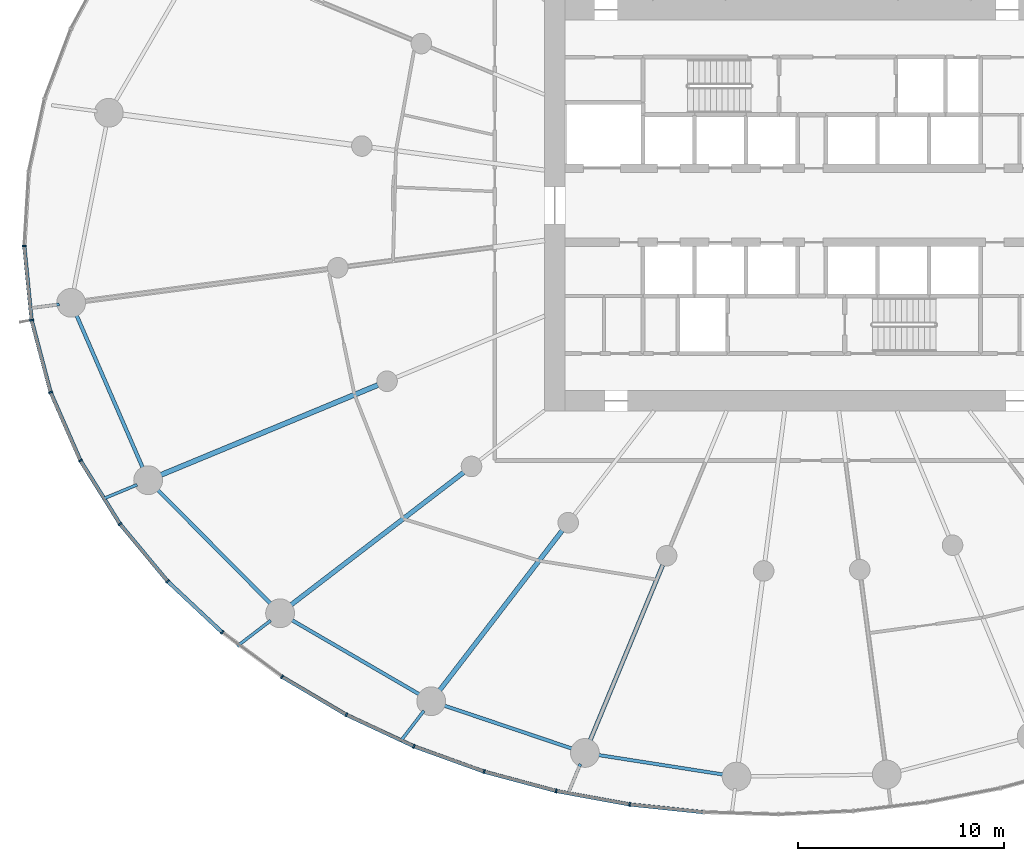
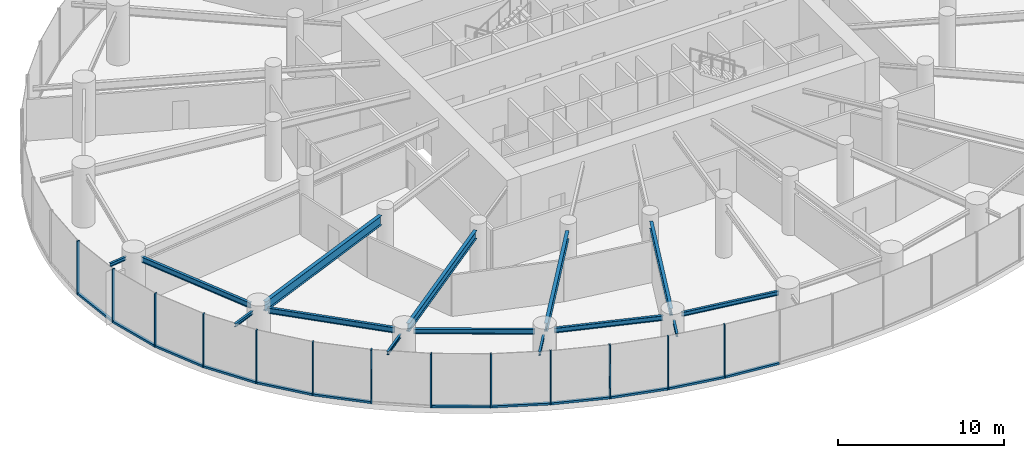
# One storey, part 2 of 17: 25 members, 14 beams, 3 elements without a shape of their own.
"""IFC4 building model written with IfcOpenShell, lengths in metres."""

from ifc_helpers import new_model, si_unit, direction, frame, origin, origin_2d, place, context, subcontext, project, spatial, rectangle, i_section, extrude, source, transform, mapped, material, layer, layer_set, material_profile, profile_set, type_object, element, aggregate, save


model = new_model("IFC4")

# Units and contexts
model_context = context("Model", 3, precision=1e-05, world=origin(), true_north=direction((0.0, 1.0)))
body_context = subcontext(model_context, "Body", "Model", "MODEL_VIEW")
ifc_project = project(units=[si_unit("LENGTHUNIT", "METRE"), si_unit("AREAUNIT", "SQUARE_METRE"), si_unit("VOLUMEUNIT", "CUBIC_METRE"), si_unit("PLANEANGLEUNIT", "RADIAN"), si_unit("MASSUNIT", "GRAM", prefix="KILO")], contexts=[model_context])

# Site, building, storey
site_placement = place(None, origin())
site = spatial("IfcSite", under=ifc_project, at=site_placement, CompositionType="ELEMENT")
building_placement = place(site_placement, origin())
building = spatial("IfcBuilding", under=site, at=building_placement, Name="Spindrift Exchange Tower", CompositionType="ELEMENT")
storey_placement = place(building_placement, frame((0.0, 0.0, 35.800048828125)))
storey = spatial("IfcBuildingStorey", under=building, at=storey_placement, Name="L08", CompositionType="ELEMENT", Elevation=35.800048828125)

# Beams
ifc_material_1 = material(Name="Steel Grade 300", Category="steel")
ifc_material_profile_1 = material_profile(ifc_material_1, i_section(OverallWidth=0.25, OverallDepth=0.699951171875, WebThickness=0.008056640625, FlangeThickness=0.011962890625, at=origin_2d()), Name="700WB115")
ifc_profile_set_1 = profile_set([ifc_material_profile_1], Name="Steel Grade 300")
beam_type_1 = type_object("IfcBeamType", Name="Floor Beam 700WB115 Steel Grade 300", PredefinedType="BEAM", material=ifc_profile_set_1)
shared_shape_1 = source(origin(), body_context, "Body", "SweptSolid", [
    extrude(i_section(OverallWidth=0.25, OverallDepth=0.699951171875, WebThickness=0.008056640625, FlangeThickness=0.011962890625, at=origin_2d()), origin(), (0.0, 0.0, 1.0), 11.505859375),
])
beam_1_placement = place(storey_placement, frame((30.917236328125, 39.26708984375, 3.599853515625), z_axis=(-0.923881578419, -0.38267849307, 0.0), x_axis=(0.38267849307, -0.923881578419, 0.0)))
element("IfcBeam", 1, at=beam_1_placement, inside=storey, type_object=beam_type_1, Name="L08 radial beam R14B", PredefinedType="BEAM", context=body_context, shape_type="MappedRepresentation", body=[
    mapped(shared_shape_1, transform((0.0, 0.0, 0.0), scale=1.0)),
])
ifc_material_profile_2 = material_profile(ifc_material_1, i_section(OverallWidth=0.22802734375, OverallDepth=0.60693359375, WebThickness=0.01123046875, FlangeThickness=0.017333984375, FilletRadius=0.013916015625, at=origin_2d()), Name="610UB113")
ifc_profile_set_2 = profile_set([ifc_material_profile_2], Name="Steel Grade 300")
beam_type_2 = type_object("IfcBeamType", Name="Floor Beam 610UB113 Steel Grade 300", PredefinedType="BEAM", material=ifc_profile_set_2)
shared_shape_2 = source(origin(), body_context, "Body", "SweptSolid", [
    extrude(i_section(OverallWidth=0.22802734375, OverallDepth=0.60693359375, WebThickness=0.01123046875, FlangeThickness=0.017333984375, FilletRadius=0.013916015625, at=origin_2d()), origin(), (0.0, 0.0, 1.0), 10.66357421875),
])
beam_2_placement = place(storey_placement, frame((35.08447265625, 35.020263671875, 3.646484375), z_axis=(-0.793357926757, -0.608755451764, 0.0), x_axis=(0.608755451764, -0.793357926757, 0.0)))
element("IfcBeam", 2, at=beam_2_placement, inside=storey, type_object=beam_type_2, Name="L08 radial beam R15B", PredefinedType="BEAM", context=body_context, shape_type="MappedRepresentation", body=[
    mapped(shared_shape_2, transform((0.0, 0.0, 0.0), scale=1.0)),
])
shared_shape_3 = source(origin(), body_context, "Body", "SweptSolid", [
    extrude(i_section(OverallWidth=0.22802734375, OverallDepth=0.60693359375, WebThickness=0.01123046875, FlangeThickness=0.017333984375, FilletRadius=0.013916015625, at=origin_2d()), origin(), (0.0, 0.0, 1.0), 9.87548828125),
])
beam_3_placement = place(storey_placement, frame((39.872802734375, 32.1953125, 3.646484375), z_axis=(-0.608772470836, -0.793344867477, 0.0), x_axis=(0.793344867477, -0.608772470836, 0.0)))
element("IfcBeam", 3, at=beam_3_placement, inside=storey, type_object=beam_type_2, Name="L08 radial beam R16B", PredefinedType="BEAM", context=body_context, shape_type="MappedRepresentation", body=[
    mapped(shared_shape_3, transform((0.0, 0.0, 0.0), scale=1.0)),
])
ifc_material_profile_3 = material_profile(ifc_material_1, i_section(OverallWidth=0.208984375, OverallDepth=0.532958984375, WebThickness=0.01025390625, FlangeThickness=0.015625, FilletRadius=0.013916015625, at=origin_2d()), Name="530UB92.4")
ifc_profile_set_3 = profile_set([ifc_material_profile_3], Name="Steel Grade 300")
beam_type_3 = type_object("IfcBeamType", Name="Floor Beam 530UB92.4 Steel Grade 300", PredefinedType="BEAM", material=ifc_profile_set_3)
shared_shape_4 = source(origin(), body_context, "Body", "SweptSolid", [
    extrude(i_section(OverallWidth=0.208984375, OverallDepth=0.532958984375, WebThickness=0.01025390625, FlangeThickness=0.015625, FilletRadius=0.013916015625, at=origin_2d()), origin(), (0.0, 0.0, 1.0), 9.309326171875),
])
beam_4_placement = place(storey_placement, frame((44.76171875, 30.525146484375, 3.683349609375), z_axis=(-0.382685326691, -0.923878747853, 0.0), x_axis=(0.923878747853, -0.382685326691, 0.0)))
element("IfcBeam", 4, at=beam_4_placement, inside=storey, type_object=beam_type_3, Name="L08 radial beam R17B", PredefinedType="BEAM", context=body_context, shape_type="MappedRepresentation", body=[
    mapped(shared_shape_4, transform((0.0, 0.0, 0.0), scale=1.0)),
])
ifc_material_profile_4 = material_profile(ifc_material_1, i_section(OverallWidth=0.177978515625, OverallDepth=0.406005859375, WebThickness=0.0078125, FlangeThickness=0.0126953125, FilletRadius=0.013916015625, at=origin_2d()), Name="410UB59.7")
ifc_profile_set_4 = profile_set([ifc_material_profile_4], Name="Steel Grade 300")
beam_type_4 = type_object("IfcBeamType", Name="Edge Beam 410UB59.7 Steel Grade 300", PredefinedType="SPANDREL", material=ifc_profile_set_4)
shared_shape_5 = source(origin(), body_context, "Body", "SweptSolid", [
    extrude(i_section(OverallWidth=0.177978515625, OverallDepth=0.406005859375, WebThickness=0.0078125, FlangeThickness=0.0126953125, FilletRadius=0.013916015625, at=origin_2d()), origin(), (0.0, 0.0, 1.0), 8.23681640625),
])
beam_5_placement = place(storey_placement, frame((16.240478515625, 42.729736328125, 3.7470703125), z_axis=(0.398186298756, -0.91730456855, 0.0), x_axis=(0.91730456855, 0.398186298756, 0.0)))
element("IfcBeam", 5, at=beam_5_placement, inside=storey, type_object=beam_type_4, Name="L08 edge beam E13", PredefinedType="SPANDREL", context=body_context, shape_type="MappedRepresentation", body=[
    mapped(shared_shape_5, transform((0.0, 0.0, 0.0), scale=1.0)),
])
shared_shape_6 = source(origin(), body_context, "Body", "SweptSolid", [
    extrude(i_section(OverallWidth=0.177978515625, OverallDepth=0.406005859375, WebThickness=0.0078125, FlangeThickness=0.0126953125, FilletRadius=0.013916015625, at=origin_2d()), origin(), (0.0, 0.0, 1.0), 7.947509765625),
])
beam_6_placement = place(storey_placement, frame((20.159423828125, 34.230224609375, 3.7470703125), z_axis=(0.704197895271, -0.710003749494, 0.0), x_axis=(0.710003749494, 0.704197895271, 0.0)))
element("IfcBeam", 6, at=beam_6_placement, inside=storey, type_object=beam_type_4, Name="L08 edge beam E14", PredefinedType="SPANDREL", context=body_context, shape_type="MappedRepresentation", body=[
    mapped(shared_shape_6, transform((0.0, 0.0, 0.0), scale=1.0)),
])
ifc_material_profile_5 = material_profile(ifc_material_1, i_section(OverallWidth=0.172119140625, OverallDepth=0.35888671875, WebThickness=0.008056640625, FlangeThickness=0.012939453125, FilletRadius=0.013916015625, at=origin_2d()), Name="360UB56.7")
ifc_profile_set_5 = profile_set([ifc_material_profile_5], Name="Steel Grade 300")
beam_type_5 = type_object("IfcBeamType", Name="Edge Beam 360UB56.7 Steel Grade 300", PredefinedType="SPANDREL", material=ifc_profile_set_5)
shared_shape_7 = source(origin(), body_context, "Body", "SweptSolid", [
    extrude(i_section(OverallWidth=0.172119140625, OverallDepth=0.35888671875, WebThickness=0.008056640625, FlangeThickness=0.012939453125, FilletRadius=0.013916015625, at=origin_2d()), origin(), (0.0, 0.0, 1.0), 7.33740234375),
])
beam_7_placement = place(storey_placement, frame((26.66552734375, 27.8837890625, 3.7705078125), z_axis=(0.864211826308, -0.503128134047, 0.0), x_axis=(0.503128134047, 0.864211826308, 0.0)))
element("IfcBeam", 7, at=beam_7_placement, inside=storey, type_object=beam_type_5, Name="L08 edge beam E15", PredefinedType="SPANDREL", context=body_context, shape_type="MappedRepresentation", body=[
    mapped(shared_shape_7, transform((0.0, 0.0, 0.0), scale=1.0)),
])
shared_shape_8 = source(origin(), body_context, "Body", "SweptSolid", [
    extrude(i_section(OverallWidth=0.172119140625, OverallDepth=0.35888671875, WebThickness=0.008056640625, FlangeThickness=0.012939453125, FilletRadius=0.013916015625, at=origin_2d()), origin(), (0.0, 0.0, 1.0), 6.72021484375),
])
beam_8_placement = place(storey_placement, frame((34.0576171875, 23.71533203125, 3.7705078125), z_axis=(0.947851749681, -0.318711563372, 0.0), x_axis=(0.318711563372, 0.947851749681, 0.0)))
element("IfcBeam", 8, at=beam_8_placement, inside=storey, type_object=beam_type_5, Name="L08 edge beam E16", PredefinedType="SPANDREL", context=body_context, shape_type="MappedRepresentation", body=[
    mapped(shared_shape_8, transform((0.0, 0.0, 0.0), scale=1.0)),
])
ifc_material_profile_6 = material_profile(ifc_material_1, i_section(OverallWidth=0.1650390625, OverallDepth=0.303955078125, WebThickness=0.006103515625, FlangeThickness=0.01025390625, FilletRadius=0.011474609375, at=origin_2d()), Name="310UB40.4")
ifc_profile_set_6 = profile_set([ifc_material_profile_6], Name="Steel Grade 300")
beam_type_6 = type_object("IfcBeamType", Name="Edge Beam 310UB40.4 Steel Grade 300", PredefinedType="SPANDREL", material=ifc_profile_set_6)
shared_shape_9 = source(origin(), body_context, "Body", "SweptSolid", [
    extrude(i_section(OverallWidth=0.1650390625, OverallDepth=0.303955078125, WebThickness=0.006103515625, FlangeThickness=0.01025390625, FilletRadius=0.011474609375, at=origin_2d()), origin(), (0.0, 0.0, 1.0), 6.297119140625),
])
beam_9_placement = place(storey_placement, frame((41.55029296875, 21.29931640625, 3.7978515625), z_axis=(0.98802902915, -0.154268070436, 0.0), x_axis=(0.154268070436, 0.98802902915, 0.0)))
element("IfcBeam", 9, at=beam_9_placement, inside=storey, type_object=beam_type_6, Name="L08 edge beam E17", PredefinedType="SPANDREL", context=body_context, shape_type="MappedRepresentation", body=[
    mapped(shared_shape_9, transform((0.0, 0.0, 0.0), scale=1.0)),
])
ifc_material_profile_7 = material_profile(ifc_material_1, i_section(OverallWidth=0.14599609375, OverallDepth=0.251953125, WebThickness=0.006103515625, FlangeThickness=0.008544921875, FilletRadius=0.011962890625, at=origin_2d()), Name="250UB31.4")
ifc_profile_set_7 = profile_set([ifc_material_profile_7], Name="Steel Grade 300")
beam_type_7 = type_object("IfcBeamType", Name="Cantilever Beam 250UB31.4 Steel Grade 300", PredefinedType="BEAM", material=ifc_profile_set_7)
shared_shape_10 = source(origin(), body_context, "Body", "SweptSolid", [
    extrude(i_section(OverallWidth=0.14599609375, OverallDepth=0.251953125, WebThickness=0.006103515625, FlangeThickness=0.008544921875, FilletRadius=0.011962890625, at=origin_2d()), origin(), (0.0, 0.0, 1.0), 1.23876953125),
])
beam_10_placement = place(storey_placement, frame((15.4345703125, 43.18603515625, 3.823974609375), z_axis=(-0.991453624771, -0.130459610336, 0.0), x_axis=(0.130459610336, -0.991453624771, 0.0)))
element("IfcBeam", 10, at=beam_10_placement, inside=storey, type_object=beam_type_7, Name="L08 cantilever beam R13T", PredefinedType="BEAM", context=body_context, shape_type="MappedRepresentation", body=[
    mapped(shared_shape_10, transform((0.0, 0.0, 0.0), scale=1.0)),
])
shared_shape_11 = source(origin(), body_context, "Body", "SweptSolid", [
    extrude(i_section(OverallWidth=0.14599609375, OverallDepth=0.251953125, WebThickness=0.006103515625, FlangeThickness=0.008544921875, FilletRadius=0.011962890625, at=origin_2d()), origin(), (0.0, 0.0, 1.0), 1.779296875),
])
beam_11_placement = place(storey_placement, frame((19.21533203125, 34.420166015625, 3.823974609375), z_axis=(-0.923874677021, -0.382695154346, 0.0), x_axis=(0.382695154346, -0.923874677021, 0.0)))
element("IfcBeam", 11, at=beam_11_placement, inside=storey, type_object=beam_type_7, Name="L08 cantilever beam R14T", PredefinedType="BEAM", context=body_context, shape_type="MappedRepresentation", body=[
    mapped(shared_shape_11, transform((0.0, 0.0, 0.0), scale=1.0)),
])
shared_shape_12 = source(origin(), body_context, "Body", "SweptSolid", [
    extrude(i_section(OverallWidth=0.14599609375, OverallDepth=0.251953125, WebThickness=0.006103515625, FlangeThickness=0.008544921875, FilletRadius=0.011962890625, at=origin_2d()), origin(), (0.0, 0.0, 1.0), 2.045166015625),
])
beam_12_placement = place(storey_placement, frame((25.704345703125, 27.822509765625, 3.823974609375), z_axis=(-0.793391112466, -0.60871220019, 0.0), x_axis=(0.60871220019, -0.793391112466, 0.0)))
element("IfcBeam", 12, at=beam_12_placement, inside=storey, type_object=beam_type_7, Name="L08 cantilever beam R15T", PredefinedType="BEAM", context=body_context, shape_type="MappedRepresentation", body=[
    mapped(shared_shape_12, transform((0.0, 0.0, 0.0), scale=1.0)),
])
shared_shape_13 = source(origin(), body_context, "Body", "SweptSolid", [
    extrude(i_section(OverallWidth=0.14599609375, OverallDepth=0.251953125, WebThickness=0.006103515625, FlangeThickness=0.008544921875, FilletRadius=0.011962890625, at=origin_2d()), origin(), (0.0, 0.0, 1.0), 1.88427734375),
])
beam_13_placement = place(storey_placement, frame((33.154541015625, 23.440185546875, 3.823974609375), z_axis=(-0.608733443446, -0.793374813585, 0.0), x_axis=(0.793374813585, -0.608733443446, 0.0)))
element("IfcBeam", 13, at=beam_13_placement, inside=storey, type_object=beam_type_7, Name="L08 cantilever beam R16T", PredefinedType="BEAM", context=body_context, shape_type="MappedRepresentation", body=[
    mapped(shared_shape_13, transform((0.0, 0.0, 0.0), scale=1.0)),
])
shared_shape_14 = source(origin(), body_context, "Body", "SweptSolid", [
    extrude(i_section(OverallWidth=0.14599609375, OverallDepth=0.251953125, WebThickness=0.006103515625, FlangeThickness=0.008544921875, FilletRadius=0.011962890625, at=origin_2d()), origin(), (0.0, 0.0, 1.0), 1.519775390625),
])
beam_14_placement = place(storey_placement, frame((40.755126953125, 20.852783203125, 3.823974609375), z_axis=(-0.382663933945, -0.92388760878, 0.0), x_axis=(0.92388760878, -0.382663933945, 0.0)))
element("IfcBeam", 14, at=beam_14_placement, inside=storey, type_object=beam_type_7, Name="L08 cantilever beam R17T", PredefinedType="BEAM", context=body_context, shape_type="MappedRepresentation", body=[
    mapped(shared_shape_14, transform((0.0, 0.0, 0.0), scale=1.0)),
])

# Curtain wall, member
ifc_material_2 = material(Name="Fritted laminated glass with bronze frame", Category="glass")
ifc_layer = layer(ifc_material_2, 0.199951171875)
ifc_layer_set = layer_set([ifc_layer], Name="ZONE 1 BRONZE FRITTED WALL")
curtain_wall_type = type_object("IfcCurtainWallType", Name="ZONE 1 BRONZE FRITTED WALL", PredefinedType="NOTDEFINED", material=ifc_layer_set)
curtain_wall_1_placement = place(storey_placement, origin())
curtain_wall_1 = element("IfcCurtainWall", 15, at=curtain_wall_1_placement, inside=storey, type_object=curtain_wall_type, Name="L08 Zone 1 Bronze Fritted Wall run 5", PredefinedType="NOTDEFINED")
ifc_material_3 = material(Name="Bronze anodised aluminium", Category="aluminium")
ifc_material_profile_8 = material_profile(ifc_material_3, rectangle(XDim=0.080078125, YDim=0.199951171875, at=origin_2d()), Name="ZONE 1 BRONZE FRITTED WALL MULLION 80X200")
ifc_profile_set_8 = profile_set([ifc_material_profile_8], Name="Bronze anodised aluminium")
member_type_1 = type_object("IfcMemberType", Name="ZONE 1 BRONZE FRITTED WALL MULLION 80X200", PredefinedType="MULLION", material=ifc_profile_set_8)
shared_shape_15 = source(origin(), body_context, "Body", "SweptSolid", [
    extrude(rectangle(XDim=0.080078125, YDim=0.199951171875, at=origin_2d()), origin(), (0.0, 0.0, 1.0), 3.949951171875),
])
member_1_placement = place(storey_placement, frame((13.73046875, 46.026611328125, 0.0), z_axis=(0.0, 0.0, 1.0), x_axis=(0.019389780604, -0.999812000532, 0.0)))
member_1 = element("IfcMember", 16, at=member_1_placement, type_object=member_type_1, Name="L08 mullion CW-1.30", PredefinedType="MULLION", context=body_context, shape_type="MappedRepresentation", body=[
    mapped(shared_shape_15, transform((0.0, 0.0, 0.0), scale=1.0)),
])

# Curtain wall, members
curtain_wall_2_placement = place(storey_placement, origin())
curtain_wall_2 = element("IfcCurtainWall", 17, at=curtain_wall_2_placement, inside=storey, type_object=curtain_wall_type, Name="L08 Zone 1 Bronze Fritted Wall run 6", PredefinedType="NOTDEFINED")
member_2_placement = place(storey_placement, frame((14.087890625, 42.419921875, 0.0), z_axis=(0.0, 0.0, 1.0), x_axis=(0.177316855443, -0.984153815608, 0.0)))
member_2 = element("IfcMember", 18, at=member_2_placement, type_object=member_type_1, Name="L08 mullion CW-1.31", PredefinedType="MULLION", context=body_context, shape_type="MappedRepresentation", body=[
    mapped(shared_shape_15, transform((0.0, 0.0, 0.0), scale=1.0)),
])
member_3_placement = place(storey_placement, frame((15.01171875, 38.9150390625, 0.0), z_axis=(0.0, 0.0, 1.0), x_axis=(0.328579332522, -0.944476374633, 0.0)))
member_3 = element("IfcMember", 19, at=member_3_placement, type_object=member_type_1, Name="L08 mullion CW-1.32", PredefinedType="MULLION", context=body_context, shape_type="MappedRepresentation", body=[
    mapped(shared_shape_15, transform((0.0, 0.0, 0.0), scale=1.0)),
])
member_4_placement = place(storey_placement, frame((16.462890625, 35.593505859375, 0.0), z_axis=(0.0, 0.0, 1.0), x_axis=(0.466095126747, -0.884734611521, 0.0)))
member_4 = element("IfcMember", 20, at=member_4_placement, type_object=member_type_1, Name="L08 mullion CW-1.33", PredefinedType="MULLION", context=body_context, shape_type="MappedRepresentation", body=[
    mapped(shared_shape_15, transform((0.0, 0.0, 0.0), scale=1.0)),
])
member_5_placement = place(storey_placement, frame((18.3818359375, 32.517822265625, 0.0), z_axis=(0.0, 0.0, 1.0), x_axis=(0.585603827625, -0.810597407515, 0.0)))
member_5 = element("IfcMember", 21, at=member_5_placement, type_object=member_type_1, Name="L08 mullion CW-1.34", PredefinedType="MULLION", context=body_context, shape_type="MappedRepresentation", body=[
    mapped(shared_shape_15, transform((0.0, 0.0, 0.0), scale=1.0)),
])
member_6_placement = place(storey_placement, frame((20.69921875, 29.7294921875, 0.0), z_axis=(0.0, 0.0, 1.0), x_axis=(0.685848190171, -0.727744639307, 0.0)))
member_6 = element("IfcMember", 22, at=member_6_placement, type_object=member_type_1, Name="L08 mullion CW-1.35", PredefinedType="MULLION", context=body_context, shape_type="MappedRepresentation", body=[
    mapped(shared_shape_15, transform((0.0, 0.0, 0.0), scale=1.0)),
])
member_7_placement = place(storey_placement, frame((23.345703125, 27.250732421875, 0.0), z_axis=(0.0, 0.0, 1.0), x_axis=(0.7677006209, -0.640808673997, 0.0)))
member_7 = element("IfcMember", 23, at=member_7_placement, type_object=member_type_1, Name="L08 mullion CW-1.36", PredefinedType="MULLION", context=body_context, shape_type="MappedRepresentation", body=[
    mapped(shared_shape_15, transform((0.0, 0.0, 0.0), scale=1.0)),
])

curtain_wall_3_placement = place(storey_placement, origin())
curtain_wall_3 = element("IfcCurtainWall", 24, at=curtain_wall_3_placement, inside=storey, type_object=curtain_wall_type, Name="L08 Zone 1 Bronze Fritted Wall run 7", PredefinedType="NOTDEFINED")
member_8_placement = place(storey_placement, frame((26.2578125, 25.089599609375, 0.0), z_axis=(0.0, 0.0, 1.0), x_axis=(0.833168552464, -0.553019134557, 0.0)))
member_8 = element("IfcMember", 25, at=member_8_placement, type_object=member_type_1, Name="L08 mullion CW-1.37", PredefinedType="MULLION", context=body_context, shape_type="MappedRepresentation", body=[
    mapped(shared_shape_15, transform((0.0, 0.0, 0.0), scale=1.0)),
])
member_9_placement = place(storey_placement, frame((29.380615234375, 23.2451171875, 0.0), z_axis=(0.0, 0.0, 1.0), x_axis=(0.884619793461, -0.466313007558, 0.0)))
member_9 = element("IfcMember", 26, at=member_9_placement, type_object=member_type_1, Name="L08 mullion CW-1.38", PredefinedType="MULLION", context=body_context, shape_type="MappedRepresentation", body=[
    mapped(shared_shape_15, transform((0.0, 0.0, 0.0), scale=1.0)),
])
member_10_placement = place(storey_placement, frame((32.6669921875, 21.711181640625, 0.0), z_axis=(0.0, 0.0, 1.0), x_axis=(0.924293266351, -0.381683059328, 0.0)))
member_10 = element("IfcMember", 27, at=member_10_placement, type_object=member_type_1, Name="L08 mullion CW-1.39", PredefinedType="MULLION", context=body_context, shape_type="MappedRepresentation", body=[
    mapped(shared_shape_15, transform((0.0, 0.0, 0.0), scale=1.0)),
])
member_11_placement = place(storey_placement, frame((36.07861328125, 20.479248046875, 0.0), z_axis=(0.0, 0.0, 1.0), x_axis=(0.954091732195, -0.299514551495, 0.0)))
member_11 = element("IfcMember", 28, at=member_11_placement, type_object=member_type_1, Name="L08 mullion CW-1.40", PredefinedType="MULLION", context=body_context, shape_type="MappedRepresentation", body=[
    mapped(shared_shape_15, transform((0.0, 0.0, 0.0), scale=1.0)),
])
member_12_placement = place(storey_placement, frame((39.58203125, 19.540283203125, 0.0), z_axis=(0.0, 0.0, 1.0), x_axis=(0.975545759929, -0.21979642919, 0.0)))
member_12 = element("IfcMember", 29, at=member_12_placement, type_object=member_type_1, Name="L08 mullion CW-1.41", PredefinedType="MULLION", context=body_context, shape_type="MappedRepresentation", body=[
    mapped(shared_shape_15, transform((0.0, 0.0, 0.0), scale=1.0)),
])
member_13_placement = place(storey_placement, frame((43.14990234375, 18.885986328125, 0.0), z_axis=(0.0, 0.0, 1.0), x_axis=(0.989822961349, -0.142304269738, 0.0)))
member_13 = element("IfcMember", 30, at=member_13_placement, type_object=member_type_1, Name="L08 mullion CW-1.42", PredefinedType="MULLION", context=body_context, shape_type="MappedRepresentation", body=[
    mapped(shared_shape_15, transform((0.0, 0.0, 0.0), scale=1.0)),
])

# Member
ifc_material_profile_9 = material_profile(ifc_material_3, rectangle(XDim=0.179931640625, YDim=0.14990234375, at=origin_2d()), Name="ZONE 1 BRONZE FRITTED WALL TRANSOM 180X150")
ifc_profile_set_9 = profile_set([ifc_material_profile_9], Name="Bronze anodised aluminium")
member_type_2 = type_object("IfcMemberType", Name="ZONE 1 BRONZE FRITTED WALL TRANSOM 180X150", PredefinedType="USERDEFINED", material=ifc_profile_set_9)
shared_shape_16 = source(origin(), body_context, "Body", "SweptSolid", [
    extrude(rectangle(XDim=0.179931640625, YDim=0.14990234375, at=origin_2d()), origin(), (0.0, 0.0, 1.0), 3.54443359375),
])
member_14_placement = place(storey_placement, frame((13.734375, 45.98681640625, 0.074951171875), z_axis=(0.098637554231, -0.99512342596, 0.0), x_axis=(0.99512342596, 0.098637554231, 0.0)))
member_14 = element("IfcMember", 31, at=member_14_placement, type_object=member_type_2, Name="L08 transom CW-1.30", ObjectType="TRANSOM", PredefinedType="USERDEFINED", context=body_context, shape_type="MappedRepresentation", body=[
    mapped(shared_shape_16, transform((0.0, 0.0, 0.0), scale=1.0)),
])

aggregate(curtain_wall_1, [member_1, member_14])

shared_shape_17 = source(origin(), body_context, "Body", "SweptSolid", [
    extrude(rectangle(XDim=0.179931640625, YDim=0.14990234375, at=origin_2d()), origin(), (0.0, 0.0, 1.0), 3.545654296875),
])
member_15_placement = place(storey_placement, frame((18.407470703125, 32.487060546875, 0.074951171875), z_axis=(0.639188275102, -0.769050290275, 0.0), x_axis=(0.769050290275, 0.639188275102, 0.0)))
member_15 = element("IfcMember", 32, at=member_15_placement, type_object=member_type_2, Name="L08 transom CW-1.34", ObjectType="TRANSOM", PredefinedType="USERDEFINED", context=body_context, shape_type="MappedRepresentation", body=[
    mapped(shared_shape_17, transform((0.0, 0.0, 0.0), scale=1.0)),
])

shared_shape_18 = source(origin(), body_context, "Body", "SweptSolid", [
    extrude(rectangle(XDim=0.179931640625, YDim=0.14990234375, at=origin_2d()), origin(), (0.0, 0.0, 1.0), 3.546142578125),
])
member_16_placement = place(storey_placement, frame((20.728515625, 29.7021484375, 0.074951171875), z_axis=(0.729861324892, -0.683595235813, 0.0), x_axis=(0.683595235813, 0.729861324892, 0.0)))
member_16 = element("IfcMember", 33, at=member_16_placement, type_object=member_type_2, Name="L08 transom CW-1.35", ObjectType="TRANSOM", PredefinedType="USERDEFINED", context=body_context, shape_type="MappedRepresentation", body=[
    mapped(shared_shape_18, transform((0.0, 0.0, 0.0), scale=1.0)),
])

shared_shape_19 = source(origin(), body_context, "Body", "SweptSolid", [
    extrude(rectangle(XDim=0.179931640625, YDim=0.14990234375, at=origin_2d()), origin(), (0.0, 0.0, 1.0), 3.546875),
])
member_17_placement = place(storey_placement, frame((26.292236328125, 25.0693359375, 0.074951171875), z_axis=(0.861037505597, -0.508541457459, 0.0), x_axis=(0.508541457459, 0.861037505597, 0.0)))
member_17 = element("IfcMember", 34, at=member_17_placement, type_object=member_type_2, Name="L08 transom CW-1.37", ObjectType="TRANSOM", PredefinedType="USERDEFINED", context=body_context, shape_type="MappedRepresentation", body=[
    mapped(shared_shape_19, transform((0.0, 0.0, 0.0), scale=1.0)),
])

member_18_placement = place(storey_placement, frame((32.704833984375, 21.697509765625, 0.074951171875), z_axis=(0.940566725427, -0.339608944256, 0.0), x_axis=(0.339608944256, 0.940566725427, 0.0)))
member_18 = element("IfcMember", 35, at=member_18_placement, type_object=member_type_2, Name="L08 transom CW-1.39", ObjectType="TRANSOM", PredefinedType="USERDEFINED", context=body_context, shape_type="MappedRepresentation", body=[
    mapped(shared_shape_19, transform((0.0, 0.0, 0.0), scale=1.0)),
])

shared_shape_20 = source(origin(), body_context, "Body", "SweptSolid", [
    extrude(rectangle(XDim=0.179931640625, YDim=0.14990234375, at=origin_2d()), origin(), (0.0, 0.0, 1.0), 3.54736328125),
])
member_19_placement = place(storey_placement, frame((39.621337890625, 19.533203125, 0.074951171875), z_axis=(0.983596790348, -0.180381135426, 0.0), x_axis=(0.180381135426, 0.983596790348, 0.0)))
member_19 = element("IfcMember", 36, at=member_19_placement, type_object=member_type_2, Name="L08 transom CW-1.41", ObjectType="TRANSOM", PredefinedType="USERDEFINED", context=body_context, shape_type="MappedRepresentation", body=[
    mapped(shared_shape_20, transform((0.0, 0.0, 0.0), scale=1.0)),
])

member_20_placement = place(storey_placement, frame((43.189697265625, 18.8818359375, 0.074951171875), z_axis=(0.994577996462, -0.103993312065, 0.0), x_axis=(0.103993312065, 0.994577996462, 0.0)))
member_20 = element("IfcMember", 37, at=member_20_placement, type_object=member_type_2, Name="L08 transom CW-1.42", ObjectType="TRANSOM", PredefinedType="USERDEFINED", context=body_context, shape_type="MappedRepresentation", body=[
    mapped(shared_shape_20, transform((0.0, 0.0, 0.0), scale=1.0)),
])

shared_shape_21 = source(origin(), body_context, "Body", "SweptSolid", [
    extrude(rectangle(XDim=0.179931640625, YDim=0.14990234375, at=origin_2d()), origin(), (0.0, 0.0, 1.0), 3.547119140625),
])
member_21_placement = place(storey_placement, frame((29.416748046875, 23.228271484375, 0.074951171875), z_axis=(0.906147968209, -0.422960825267, 0.0), x_axis=(0.422960825267, 0.906147968209, 0.0)))
member_21 = element("IfcMember", 38, at=member_21_placement, type_object=member_type_2, Name="L08 transom CW-1.38", ObjectType="TRANSOM", PredefinedType="USERDEFINED", context=body_context, shape_type="MappedRepresentation", body=[
    mapped(shared_shape_21, transform((0.0, 0.0, 0.0), scale=1.0)),
])

member_22_placement = place(storey_placement, frame((36.1171875, 20.468994140625, 0.074951171875), z_axis=(0.965915483714, -0.258857641032, 0.0), x_axis=(0.258857641032, 0.965915483714, 0.0)))
member_22 = element("IfcMember", 39, at=member_22_placement, type_object=member_type_2, Name="L08 transom CW-1.40", ObjectType="TRANSOM", PredefinedType="USERDEFINED", context=body_context, shape_type="MappedRepresentation", body=[
    mapped(shared_shape_21, transform((0.0, 0.0, 0.0), scale=1.0)),
])

aggregate(curtain_wall_3, [member_8, member_17, member_9, member_21, member_10, member_18, member_11, member_22, member_12, member_19, member_13, member_20])

shared_shape_22 = source(origin(), body_context, "Body", "SweptSolid", [
    extrude(rectangle(XDim=0.179931640625, YDim=0.14990234375, at=origin_2d()), origin(), (0.0, 0.0, 1.0), 3.545166015625),
])
member_23_placement = place(storey_placement, frame((16.484130859375, 35.5595703125, 0.074951171875), z_axis=(0.529355028033, -0.84840040918, 0.0), x_axis=(0.84840040918, 0.529355028033, 0.0)))
member_23 = element("IfcMember", 40, at=member_23_placement, type_object=member_type_2, Name="L08 transom CW-1.33", ObjectType="TRANSOM", PredefinedType="USERDEFINED", context=body_context, shape_type="MappedRepresentation", body=[
    mapped(shared_shape_22, transform((0.0, 0.0, 0.0), scale=1.0)),
])

shared_shape_23 = source(origin(), body_context, "Body", "SweptSolid", [
    extrude(rectangle(XDim=0.179931640625, YDim=0.14990234375, at=origin_2d()), origin(), (0.0, 0.0, 1.0), 3.544189453125),
])
member_24_placement = place(storey_placement, frame((14.09814453125, 42.381103515625, 0.074951171875), z_axis=(0.254866246643, -0.966976316319, 0.0), x_axis=(0.966976316319, 0.254866246643, 0.0)))
member_24 = element("IfcMember", 41, at=member_24_placement, type_object=member_type_2, Name="L08 transom CW-1.31", ObjectType="TRANSOM", PredefinedType="USERDEFINED", context=body_context, shape_type="MappedRepresentation", body=[
    mapped(shared_shape_23, transform((0.0, 0.0, 0.0), scale=1.0)),
])

shared_shape_24 = source(origin(), body_context, "Body", "SweptSolid", [
    extrude(rectangle(XDim=0.179931640625, YDim=0.14990234375, at=origin_2d()), origin(), (0.0, 0.0, 1.0), 3.544677734375),
])
member_25_placement = place(storey_placement, frame((15.02783203125, 38.87841796875, 0.074951171875), z_axis=(0.400302094103, -0.916383235037, 0.0), x_axis=(0.916383235037, 0.400302094103, 0.0)))
member_25 = element("IfcMember", 42, at=member_25_placement, type_object=member_type_2, Name="L08 transom CW-1.32", ObjectType="TRANSOM", PredefinedType="USERDEFINED", context=body_context, shape_type="MappedRepresentation", body=[
    mapped(shared_shape_24, transform((0.0, 0.0, 0.0), scale=1.0)),
])

aggregate(curtain_wall_2, [member_2, member_24, member_3, member_25, member_4, member_23, member_5, member_15, member_6, member_16, member_7])

save(model, "model.ifc")
